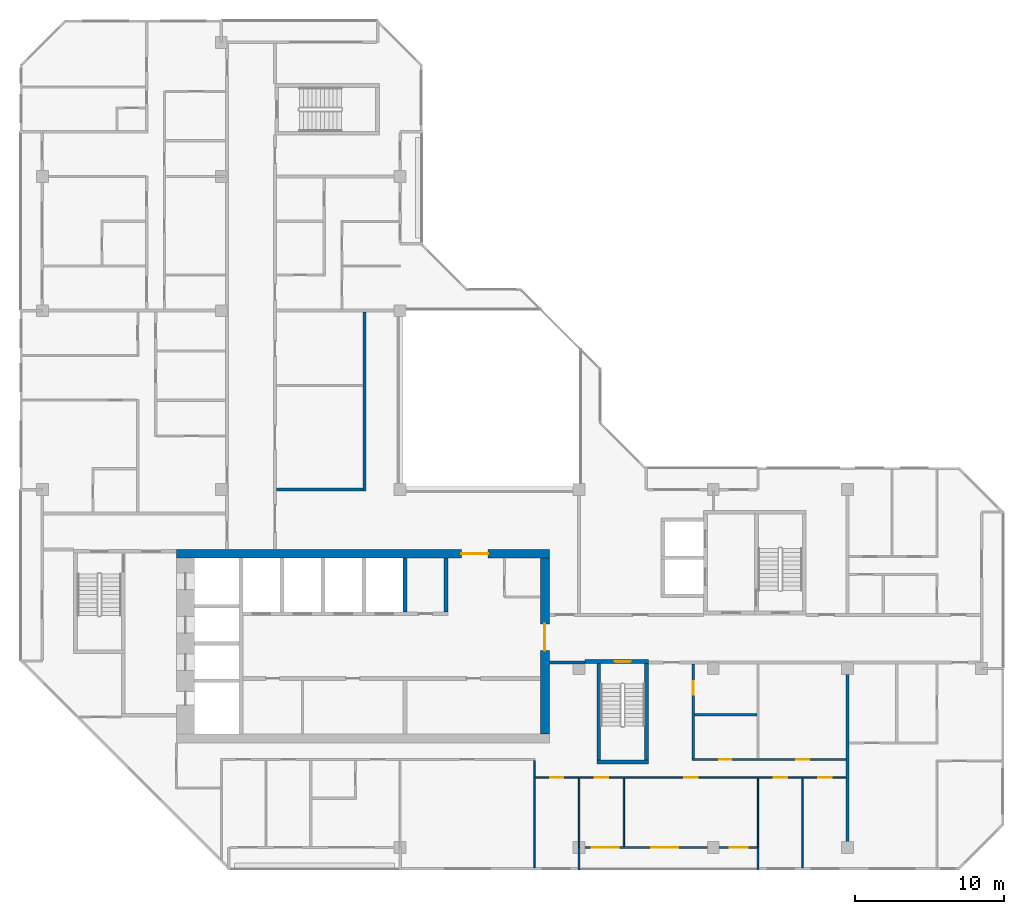
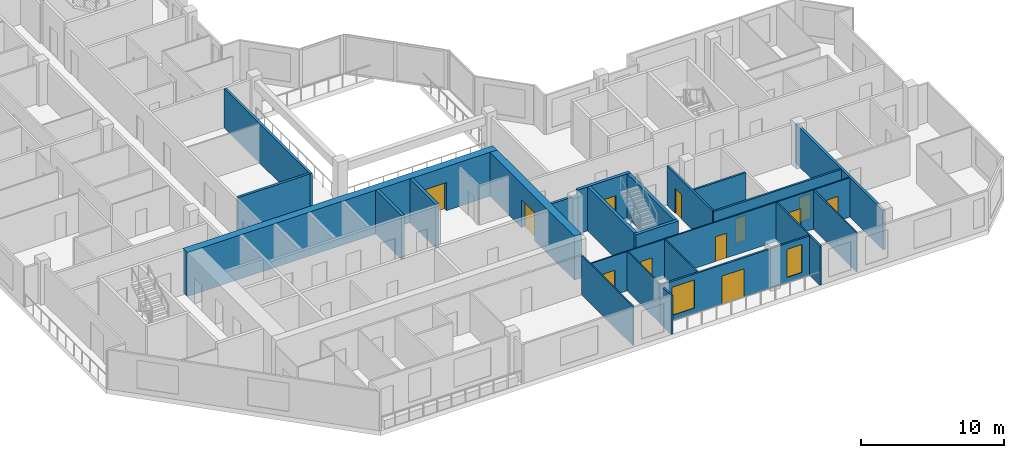
# One storey, part 6 of 13: 24 walls, 12 doors, 2 windows, 14 openings.
"""IFC4 building model written with IfcOpenShell, lengths in metres."""

from ifc_helpers import new_model, si_unit, direction, frame, frame_2d, origin, place, context, subcontext, project, spatial, rectangle, extrude, material, layer, layer_set, type_object, element, fill, save


model = new_model("IFC4")

# Units and contexts
model_context = context("Model", 3, precision=1e-05, world=origin(), true_north=direction((0.0, 1.0)))
body_context = subcontext(model_context, "Body", "Model", "MODEL_VIEW")
ifc_project = project(units=[si_unit("LENGTHUNIT", "METRE"), si_unit("AREAUNIT", "SQUARE_METRE"), si_unit("VOLUMEUNIT", "CUBIC_METRE"), si_unit("PLANEANGLEUNIT", "RADIAN"), si_unit("MASSUNIT", "GRAM", prefix="KILO")], contexts=[model_context])

# Site, building, storey
site_placement = place(None, origin())
site = spatial("IfcSite", under=ifc_project, at=site_placement, CompositionType="ELEMENT")
building_placement = place(site_placement, origin())
building = spatial("IfcBuilding", under=site, at=building_placement, Name="Chenar Terraces", CompositionType="ELEMENT")
storey_placement = place(building_placement, frame((0.0, 0.0, 314.64990234375)))
storey = spatial("IfcBuildingStorey", under=building, at=storey_placement, Name="L74", CompositionType="ELEMENT", Elevation=314.64990234375)

# Walls
ifc_material_1 = material(Name="Concrete C50/60", Category="concrete")
ifc_layer_1 = layer(ifc_material_1, 0.25)
ifc_layer_set_1 = layer_set([ifc_layer_1], Name="Concrete C50/60")
wall_type_1 = type_object("IfcWallType", Name="Core wall 250 Concrete C50/60", PredefinedType="SHEAR", material=ifc_layer_set_1)
for number, where, z_axis, x_axis, name in (
    (1, (24.324951171875, 15.800048828125, 0.0), (0.0, 0.0, 1.0), (0.0, 1.0, 0.0), "Core wall NS3 L74"),
    (2, (27.074951171875, 15.800048828125, 0.0), (0.0, 0.0, 1.0), (0.0, 1.0, 0.0), "Core wall NE L74"),
):
    element("IfcWall", number, at=place(storey_placement, frame(where, z_axis=z_axis, x_axis=x_axis)), inside=storey, type_object=wall_type_1, Name=name, PredefinedType="SHEAR", context=body_context, shape_type="SweptSolid", body=[
        extrude(rectangle(XDim=3.599853515625, YDim=0.25, at=frame_2d((1.7998046875, 0.0))), origin(), (0.0, 0.0, 1.0), 3.75),
    ])
wall_1_placement = place(storey_placement, frame((37.199951171875, 5.72509765625, 0.0), z_axis=(0.0, 0.0, 1.0), x_axis=(1.0, 0.0, 0.0)))
element("IfcWall", 3, at=wall_1_placement, inside=storey, type_object=wall_type_1, Name="Core wall ST2_S L74", PredefinedType="SHEAR", context=body_context, shape_type="SweptSolid", body=[
    extrude(rectangle(XDim=3.449951171875, YDim=0.25, at=frame_2d((1.72509765625, 0.0))), origin(), (0.0, 0.0, 1.0), 3.75),
])

# Wall, opening, door
wall_2_placement = place(storey_placement, frame((36.39990234375, 12.47509765625, 0.0), z_axis=(0.0, 0.0, 1.0), x_axis=(1.0, 0.0, 0.0)))
wall_2 = element("IfcWall", 4, at=wall_2_placement, inside=storey, type_object=wall_type_1, Name="Core wall ST2_N L74", PredefinedType="SHEAR", context=body_context, shape_type="SweptSolid", body=[
    extrude(rectangle(XDim=4.25, YDim=0.25, at=frame_2d((2.125, 0.0))), origin(), (0.0, 0.0, 1.0), 3.75),
])
opening_1_placement = place(wall_2_placement, frame((1.97509765625, 0.0, 0.0)))
opening_1 = element("IfcOpeningElement", 5, at=opening_1_placement, cuts=wall_2, Name="Opening DL74-C7", PredefinedType="OPENING", context=body_context, shape_type="SweptSolid", body=[
    extrude(rectangle(XDim=1.10009765625, YDim=2.199951171875, at=frame_2d((0.550048828125, 1.10009765625))), frame((0.0, 0.135009765625, 0.0), z_axis=(0.0, -1.0, 0.0), x_axis=(1.0, 0.0, 0.0)), (0.0, 0.0, 1.0), 0.27001953125),
])
ifc_material_2 = material(Name="Steel-framed fire-resisting door leaf", Category="steel")
door_type_1 = type_object("IfcDoorType", Name="Stair fire door FD60 1100 x 2200", OperationType="SINGLE_SWING_LEFT", PredefinedType="DOOR", material=ifc_material_2)
door_1_placement = place(opening_1_placement, frame((1.10009765625, 0.0, 0.0), z_axis=(0.0, 0.0, 1.0), x_axis=(-1.0, 0.0, 0.0)))
door_1 = element("IfcDoor", 6, at=door_1_placement, inside=storey, type_object=door_type_1, Name="Stair door DL74-C7", OperationType="SINGLE_SWING_LEFT", OverallHeight=2.199951171875, OverallWidth=1.10009765625, PredefinedType="DOOR", context=body_context, shape_type="SweptSolid", body=[
    extrude(rectangle(XDim=1.10009765625, YDim=2.199951171875, at=frame_2d((0.550048828125, 1.10009765625))), frame((0.0, 0.02490234375, 0.0), z_axis=(0.0, -1.0, 0.0), x_axis=(1.0, 0.0, 0.0)), (0.0, 0.0, 1.0), 0.050048828125),
])
fill(opening_1, door_1)

# Walls
for number, where, z_axis, x_axis, name in (
    (7, (37.324951171875, 5.85009765625, 0.0), (0.0, 0.0, 1.0), (0.0, 1.0, 0.0), "Core wall ST2_W L74"),
    (8, (40.52490234375, 5.85009765625, 0.0), (0.0, 0.0, 1.0), (0.0, 1.0, 0.0), "Core wall ST2_E L74"),
):
    element("IfcWall", number, at=place(storey_placement, frame(where, z_axis=z_axis, x_axis=x_axis)), inside=storey, type_object=wall_type_1, Name=name, PredefinedType="SHEAR", context=body_context, shape_type="SweptSolid", body=[
        extrude(rectangle(XDim=6.5, YDim=0.25, at=frame_2d((3.25, 0.0))), origin(), (0.0, 0.0, 1.0), 3.75),
    ])

# Wall, opening, door
ifc_material_3 = material(Name="Concrete C50/60", Category="concrete")
ifc_layer_2 = layer(ifc_material_3, 0.60009765625)
ifc_layer_set_2 = layer_set([ifc_layer_2], Name="Concrete C50/60")
wall_type_2 = type_object("IfcWallType", Name="Core wall 600 Concrete C50/60", PredefinedType="SHEAR", material=ifc_layer_set_2)
wall_3_placement = place(storey_placement, frame((9.0, 19.699951171875, 0.0), z_axis=(0.0, 0.0, 1.0), x_axis=(1.0, 0.0, 0.0)))
wall_3 = element("IfcWall", 9, at=wall_3_placement, inside=storey, type_object=wall_type_2, Name="Core wall N L74", PredefinedType="SHEAR", context=body_context, shape_type="SweptSolid", body=[
    extrude(rectangle(XDim=25.0, YDim=0.60009765625, at=frame_2d((12.5, 0.0))), origin(), (0.0, 0.0, 1.0), 3.75),
])
opening_2_placement = place(wall_3_placement, frame((19.10009765625, 0.0, 0.0)))
opening_2 = element("IfcOpeningElement", 10, at=opening_2_placement, cuts=wall_3, Name="Opening DL74-C2", PredefinedType="OPENING", context=body_context, shape_type="SweptSolid", body=[
    extrude(rectangle(XDim=1.800048828125, YDim=2.39990234375, at=frame_2d((0.89990234375, 1.199951171875))), frame((0.0, 0.31005859375, 0.0), z_axis=(0.0, -1.0, 0.0), x_axis=(1.0, 0.0, 0.0)), (0.0, 0.0, 1.0), 0.6201171875),
])
ifc_material_4 = material(Name="Steel-framed fire-resisting door leaf", Category="steel")
door_type_2 = type_object("IfcDoorType", Name="Core entrance double fire door FD60 1800 x 2400", OperationType="DOUBLE_DOOR_SINGLE_SWING", PredefinedType="DOOR", material=ifc_material_4)
door_2_placement = place(opening_2_placement, frame((1.800048828125, 0.0, 0.0), z_axis=(0.0, 0.0, 1.0), x_axis=(-1.0, 0.0, 0.0)))
door_2 = element("IfcDoor", 11, at=door_2_placement, inside=storey, type_object=door_type_2, Name="Core door DL74-C2", OperationType="DOUBLE_DOOR_SINGLE_SWING", OverallHeight=2.39990234375, OverallWidth=1.800048828125, PredefinedType="DOOR", context=body_context, shape_type="SweptSolid", body=[
    extrude(rectangle(XDim=1.800048828125, YDim=2.39990234375, at=frame_2d((0.89990234375, 1.199951171875))), frame((0.0, 0.02490234375, 0.0), z_axis=(0.0, -1.0, 0.0), x_axis=(1.0, 0.0, 0.0)), (0.0, 0.0, 1.0), 0.050048828125),
])
fill(opening_2, door_2)

wall_4_placement = place(storey_placement, frame((33.699951171875, 7.60009765625, 0.0), z_axis=(0.0, 0.0, 1.0), x_axis=(0.0, 1.0, 0.0)))
wall_4 = element("IfcWall", 12, at=wall_4_placement, inside=storey, type_object=wall_type_2, Name="Core wall E L74", PredefinedType="SHEAR", context=body_context, shape_type="SweptSolid", body=[
    extrude(rectangle(XDim=11.7998046875, YDim=0.60009765625, at=frame_2d((5.89990234375, 0.0))), origin(), (0.0, 0.0, 1.0), 3.75),
])
opening_3_placement = place(wall_4_placement, frame((5.60009765625, 0.0, 0.0)))
opening_3 = element("IfcOpeningElement", 13, at=opening_3_placement, cuts=wall_4, Name="Opening DL74-C1", PredefinedType="OPENING", context=body_context, shape_type="SweptSolid", body=[
    extrude(rectangle(XDim=1.800048828125, YDim=2.39990234375, at=frame_2d((0.89990234375, 1.199951171875))), frame((0.0, 0.31005859375, 0.0), z_axis=(0.0, -1.0, 0.0), x_axis=(1.0, 0.0, 0.0)), (0.0, 0.0, 1.0), 0.6201171875),
])
door_3_placement = place(opening_3_placement, origin())
door_3 = element("IfcDoor", 14, at=door_3_placement, inside=storey, type_object=door_type_2, Name="Core door DL74-C1", OperationType="DOUBLE_DOOR_SINGLE_SWING", OverallHeight=2.39990234375, OverallWidth=1.800048828125, PredefinedType="DOOR", context=body_context, shape_type="SweptSolid", body=[
    extrude(rectangle(XDim=1.800048828125, YDim=2.39990234375, at=frame_2d((0.89990234375, 1.199951171875))), frame((0.0, 0.02490234375, 0.0), z_axis=(0.0, -1.0, 0.0), x_axis=(1.0, 0.0, 0.0)), (0.0, 0.0, 1.0), 0.050048828125),
])
fill(opening_3, door_3)

# Walls
ifc_material_5 = material(Name="Gypsum board on steel studs with fire boards", Category="steel")
ifc_layer_3 = layer(ifc_material_5, 0.199951171875)
ifc_layer_set_3 = layer_set([ifc_layer_3], Name="Gypsum board on steel studs with fire boards")
wall_type_3 = type_object("IfcWallType", Name="Corridor wall 200", PredefinedType="PARTITIONING", material=ifc_layer_set_3)
wall_5_placement = place(storey_placement, frame((15.699951171875, 24.0, 0.0), z_axis=(0.0, 0.0, 1.0), x_axis=(1.0, 0.0, 0.0)))
element("IfcWall", 15, at=wall_5_placement, inside=storey, type_object=wall_type_3, Name="Partition L74-038", PredefinedType="PARTITIONING", context=body_context, shape_type="SweptSolid", body=[
    extrude(rectangle(XDim=5.800048828125, YDim=0.199951171875, at=frame_2d((2.89990234375, 0.0))), origin(), (0.0, 0.0, 1.0), 3.35009765625),
])
wall_6_placement = place(storey_placement, frame((21.60009765625, 23.89990234375, 0.0), z_axis=(0.0, 0.0, 1.0), x_axis=(0.0, 1.0, 0.0)))
element("IfcWall", 16, at=wall_6_placement, inside=storey, type_object=wall_type_3, Name="Partition L74-051", PredefinedType="PARTITIONING", context=body_context, shape_type="SweptSolid", body=[
    extrude(rectangle(XDim=12.0, YDim=0.199951171875, at=frame_2d((6.0, 0.0))), origin(), (0.0, 0.0, 1.0), 3.35009765625),
])
wall_7_placement = place(storey_placement, frame((34.0, 12.39990234375, 0.0), z_axis=(0.0, 0.0, 1.0), x_axis=(1.0, 0.0, 0.0)))
element("IfcWall", 17, at=wall_7_placement, inside=storey, type_object=wall_type_3, Name="Partition L74-055", PredefinedType="PARTITIONING", context=body_context, shape_type="SweptSolid", body=[
    extrude(rectangle(XDim=2.40087890625, YDim=0.199951171875, at=frame_2d((1.200439453125, 0.0))), origin(), (0.0, 0.0, 1.0), 3.35009765625),
])

# Wall, openings, windows, door
ifc_material_6 = material(Name="Aluminium framed glazing", Category="aluminium")
ifc_layer_4 = layer(ifc_material_6, 0.14990234375)
ifc_layer_set_4 = layer_set([ifc_layer_4], Name="Aluminium framed glazing")
wall_type_4 = type_object("IfcWallType", Name="Glazed loggia back wall 150", PredefinedType="SOLIDWALL", material=ifc_layer_set_4)
wall_8_placement = place(storey_placement, frame((36.074951171875, 0.0, 0.0), z_axis=(0.0, 0.0, 1.0), x_axis=(1.0, 0.0, 0.0)))
wall_8 = element("IfcWall", 18, at=wall_8_placement, inside=storey, type_object=wall_type_4, Name="Glazed loggia back wall", PredefinedType="SOLIDWALL", context=body_context, shape_type="SweptSolid", body=[
    extrude(rectangle(XDim=11.85009765625, YDim=0.14990234375, at=frame_2d((5.925048828125, 0.0))), origin(), (0.0, 0.0, 1.0), 3.35009765625),
])
opening_4_placement = place(wall_8_placement, frame((0.77490234375, 0.0, 0.449951171875)))
opening_4 = element("IfcOpeningElement", 19, at=opening_4_placement, cuts=wall_8, Name="Opening W180x240", PredefinedType="OPENING", context=body_context, shape_type="SweptSolid", body=[
    extrude(rectangle(XDim=1.800048828125, YDim=2.39990234375, at=frame_2d((0.89990234375, 1.199951171875))), frame((0.0, 0.0849609375, 0.0), z_axis=(0.0, -1.0, 0.0), x_axis=(1.0, 0.0, 0.0)), (0.0, 0.0, 1.0), 0.169921875),
])
opening_5_placement = place(wall_8_placement, frame((4.77490234375, 0.0, 0.0)))
opening_5 = element("IfcOpeningElement", 20, at=opening_5_placement, cuts=wall_8, Name="Opening DL74-G5", PredefinedType="OPENING", context=body_context, shape_type="SweptSolid", body=[
    extrude(rectangle(XDim=1.800048828125, YDim=2.39990234375, at=frame_2d((0.89990234375, 1.199951171875))), frame((0.0, 0.0849609375, 0.0), z_axis=(0.0, -1.0, 0.0), x_axis=(1.0, 0.0, 0.0)), (0.0, 0.0, 1.0), 0.169921875),
])
opening_6_placement = place(wall_8_placement, frame((10.03759765625, 0.0, 0.449951171875)))
opening_6 = element("IfcOpeningElement", 21, at=opening_6_placement, cuts=wall_8, Name="Opening W120x240", PredefinedType="OPENING", context=body_context, shape_type="SweptSolid", body=[
    extrude(rectangle(XDim=1.199951171875, YDim=2.39990234375, at=frame_2d((0.60009765625, 1.199951171875))), frame((0.0, 0.0849609375, 0.0), z_axis=(0.0, -1.0, 0.0), x_axis=(1.0, 0.0, 0.0)), (0.0, 0.0, 1.0), 0.169921875),
])
ifc_material_7 = material(Name="Low emissivity double glazing, aluminium frame", Category="aluminium")
window_type_1 = type_object("IfcWindowType", Name="Fixed light 1200 x 2400", PartitioningType="SINGLE_PANEL", PredefinedType="WINDOW", material=ifc_material_7)
window_1_placement = place(opening_6_placement, origin())
window_1 = element("IfcWindow", 22, at=window_1_placement, inside=storey, type_object=window_type_1, Name="Window", OverallHeight=2.39990234375, OverallWidth=1.199951171875, PartitioningType="SINGLE_PANEL", PredefinedType="WINDOW", context=body_context, shape_type="SweptSolid", body=[
    extrude(rectangle(XDim=1.199951171875, YDim=2.39990234375, at=frame_2d((0.60009765625, 1.199951171875))), frame((0.0, 0.030029296875, 0.0), z_axis=(0.0, -1.0, 0.0), x_axis=(1.0, 0.0, 0.0)), (0.0, 0.0, 1.0), 0.06005859375),
])
fill(opening_6, window_1)
ifc_material_8 = material(Name="Low emissivity double glazing, aluminium frame", Category="aluminium")
window_type_2 = type_object("IfcWindowType", Name="Fixed light 1800 x 2400", PartitioningType="SINGLE_PANEL", PredefinedType="WINDOW", material=ifc_material_8)
window_2_placement = place(opening_4_placement, origin())
window_2 = element("IfcWindow", 23, at=window_2_placement, inside=storey, type_object=window_type_2, Name="Window", OverallHeight=2.39990234375, OverallWidth=1.800048828125, PartitioningType="SINGLE_PANEL", PredefinedType="WINDOW", context=body_context, shape_type="SweptSolid", body=[
    extrude(rectangle(XDim=1.800048828125, YDim=2.39990234375, at=frame_2d((0.89990234375, 1.199951171875))), frame((0.0, 0.030029296875, 0.0), z_axis=(0.0, -1.0, 0.0), x_axis=(1.0, 0.0, 0.0)), (0.0, 0.0, 1.0), 0.06005859375),
])
fill(opening_4, window_2)
ifc_material_9 = material(Name="Low emissivity double glazing, aluminium frame", Category="aluminium")
door_type_3 = type_object("IfcDoorType", Name="Loggia glazed double door 1800 x 2400", OperationType="DOUBLE_DOOR_SINGLE_SWING", PredefinedType="DOOR", material=ifc_material_9)
door_4_placement = place(opening_5_placement, frame((1.800048828125, 0.0, 0.0), z_axis=(0.0, 0.0, 1.0), x_axis=(-1.0, 0.0, 0.0)))
door_4 = element("IfcDoor", 24, at=door_4_placement, inside=storey, type_object=door_type_3, Name="Loggia glazed door", OperationType="DOUBLE_DOOR_SINGLE_SWING", OverallHeight=2.39990234375, OverallWidth=1.800048828125, PredefinedType="DOOR", context=body_context, shape_type="SweptSolid", body=[
    extrude(rectangle(XDim=1.800048828125, YDim=2.39990234375, at=frame_2d((0.89990234375, 1.199951171875))), frame((0.0, 0.02490234375, 0.0), z_axis=(0.0, -1.0, 0.0), x_axis=(1.0, 0.0, 0.0)), (0.0, 0.0, 1.0), 0.050048828125),
])
fill(opening_5, door_4)

# Wall
ifc_material_10 = material(Name="Gypsum board on steel studs", Category="steel")
ifc_layer_5 = layer(ifc_material_10, 0.10009765625)
ifc_layer_set_5 = layer_set([ifc_layer_5], Name="Gypsum board on steel studs")
wall_type_5 = type_object("IfcWallType", Name="Gypsum partition 100", PredefinedType="PARTITIONING", material=ifc_layer_set_5)
wall_9_placement = place(storey_placement, frame((33.0, -1.35009765625, 0.0), z_axis=(0.0, 0.0, 1.0), x_axis=(0.0, 1.0, 0.0)))
element("IfcWall", 25, at=wall_9_placement, inside=storey, type_object=wall_type_5, Name="Partition L74-053", PredefinedType="PARTITIONING", context=body_context, shape_type="SweptSolid", body=[
    extrude(rectangle(XDim=7.175048828125, YDim=0.10009765625, at=frame_2d((3.58740234375, 0.0))), origin(), (0.0, 0.0, 1.0), 3.35009765625),
])

# Wall, openings, doors
wall_10_placement = place(storey_placement, frame((33.050048828125, 4.699951171875, 0.0), z_axis=(0.0, 0.0, 1.0), x_axis=(1.0, 0.0, 0.0)))
wall_10 = element("IfcWall", 26, at=wall_10_placement, inside=storey, type_object=wall_type_5, Name="Partition L74-054", PredefinedType="PARTITIONING", context=body_context, shape_type="SweptSolid", body=[
    extrude(rectangle(XDim=20.849853515625, YDim=0.10009765625, at=frame_2d((10.4248046875, 0.0))), origin(), (0.0, 0.0, 1.0), 3.35009765625),
])
opening_7_placement = place(wall_10_placement, frame((1.0, 0.0, 0.0)))
opening_7 = element("IfcOpeningElement", 27, at=opening_7_placement, cuts=wall_10, Name="Opening DL74-37", PredefinedType="OPENING", context=body_context, shape_type="SweptSolid", body=[
    extrude(rectangle(XDim=0.89990234375, YDim=2.10009765625, at=frame_2d((0.449951171875, 1.050048828125))), frame((0.0, 0.06005859375, 0.0), z_axis=(0.0, -1.0, 0.0), x_axis=(1.0, 0.0, 0.0)), (0.0, 0.0, 1.0), 0.1201171875),
])
opening_8_placement = place(wall_10_placement, frame((4.0, 0.0, 0.0)))
opening_8 = element("IfcOpeningElement", 28, at=opening_8_placement, cuts=wall_10, Name="Opening DL74-38", PredefinedType="OPENING", context=body_context, shape_type="SweptSolid", body=[
    extrude(rectangle(XDim=0.89990234375, YDim=2.10009765625, at=frame_2d((0.449951171875, 1.050048828125))), frame((0.0, 0.06005859375, 0.0), z_axis=(0.0, -1.0, 0.0), x_axis=(1.0, 0.0, 0.0)), (0.0, 0.0, 1.0), 0.1201171875),
])
opening_9_placement = place(wall_10_placement, frame((16.0, 0.0, 0.0)))
opening_9 = element("IfcOpeningElement", 29, at=opening_9_placement, cuts=wall_10, Name="Opening DL74-39", PredefinedType="OPENING", context=body_context, shape_type="SweptSolid", body=[
    extrude(rectangle(XDim=0.89990234375, YDim=2.10009765625, at=frame_2d((0.449951171875, 1.050048828125))), frame((0.0, 0.06005859375, 0.0), z_axis=(0.0, -1.0, 0.0), x_axis=(1.0, 0.0, 0.0)), (0.0, 0.0, 1.0), 0.1201171875),
])
opening_10_placement = place(wall_10_placement, frame((19.0, 0.0, 0.0)))
opening_10 = element("IfcOpeningElement", 30, at=opening_10_placement, cuts=wall_10, Name="Opening DL74-40", PredefinedType="OPENING", context=body_context, shape_type="SweptSolid", body=[
    extrude(rectangle(XDim=0.89990234375, YDim=2.10009765625, at=frame_2d((0.449951171875, 1.050048828125))), frame((0.0, 0.06005859375, 0.0), z_axis=(0.0, -1.0, 0.0), x_axis=(1.0, 0.0, 0.0)), (0.0, 0.0, 1.0), 0.1201171875),
])
opening_11_placement = place(wall_10_placement, frame((10.0, 0.0, 0.0)))
opening_11 = element("IfcOpeningElement", 31, at=opening_11_placement, cuts=wall_10, Name="Opening DL74-48", PredefinedType="OPENING", context=body_context, shape_type="SweptSolid", body=[
    extrude(rectangle(XDim=0.89990234375, YDim=2.10009765625, at=frame_2d((0.449951171875, 1.050048828125))), frame((0.0, 0.06005859375, 0.0), z_axis=(0.0, -1.0, 0.0), x_axis=(1.0, 0.0, 0.0)), (0.0, 0.0, 1.0), 0.1201171875),
])
ifc_material_11 = material(Name="Veneered timber door leaf", Category="wood")
door_type_4 = type_object("IfcDoorType", Name="Door 900 x 2100", OperationType="SINGLE_SWING_LEFT", PredefinedType="DOOR", material=ifc_material_11)
door_5_placement = place(opening_7_placement, frame((0.89990234375, 0.0, 0.0), z_axis=(0.0, 0.0, 1.0), x_axis=(-1.0, 0.0, 0.0)))
door_5 = element("IfcDoor", 32, at=door_5_placement, inside=storey, type_object=door_type_4, Name="Door DL74-37", OperationType="SINGLE_SWING_LEFT", OverallHeight=2.10009765625, OverallWidth=0.89990234375, PredefinedType="DOOR", context=body_context, shape_type="SweptSolid", body=[
    extrude(rectangle(XDim=0.89990234375, YDim=2.10009765625, at=frame_2d((0.449951171875, 1.050048828125))), frame((0.0, 0.02490234375, 0.0), z_axis=(0.0, -1.0, 0.0), x_axis=(1.0, 0.0, 0.0)), (0.0, 0.0, 1.0), 0.050048828125),
])
fill(opening_7, door_5)
door_6_placement = place(opening_8_placement, frame((0.89990234375, 0.0, 0.0), z_axis=(0.0, 0.0, 1.0), x_axis=(-1.0, 0.0, 0.0)))
door_6 = element("IfcDoor", 33, at=door_6_placement, inside=storey, type_object=door_type_4, Name="Door DL74-38", OperationType="SINGLE_SWING_LEFT", OverallHeight=2.10009765625, OverallWidth=0.89990234375, PredefinedType="DOOR", context=body_context, shape_type="SweptSolid", body=[
    extrude(rectangle(XDim=0.89990234375, YDim=2.10009765625, at=frame_2d((0.449951171875, 1.050048828125))), frame((0.0, 0.02490234375, 0.0), z_axis=(0.0, -1.0, 0.0), x_axis=(1.0, 0.0, 0.0)), (0.0, 0.0, 1.0), 0.050048828125),
])
fill(opening_8, door_6)
door_7_placement = place(opening_9_placement, frame((0.89990234375, 0.0, 0.0), z_axis=(0.0, 0.0, 1.0), x_axis=(-1.0, 0.0, 0.0)))
door_7 = element("IfcDoor", 34, at=door_7_placement, inside=storey, type_object=door_type_4, Name="Door DL74-39", OperationType="SINGLE_SWING_LEFT", OverallHeight=2.10009765625, OverallWidth=0.89990234375, PredefinedType="DOOR", context=body_context, shape_type="SweptSolid", body=[
    extrude(rectangle(XDim=0.89990234375, YDim=2.10009765625, at=frame_2d((0.449951171875, 1.050048828125))), frame((0.0, 0.02490234375, 0.0), z_axis=(0.0, -1.0, 0.0), x_axis=(1.0, 0.0, 0.0)), (0.0, 0.0, 1.0), 0.050048828125),
])
fill(opening_9, door_7)
door_8_placement = place(opening_10_placement, frame((0.89990234375, 0.0, 0.0), z_axis=(0.0, 0.0, 1.0), x_axis=(-1.0, 0.0, 0.0)))
door_8 = element("IfcDoor", 35, at=door_8_placement, inside=storey, type_object=door_type_4, Name="Door DL74-40", OperationType="SINGLE_SWING_LEFT", OverallHeight=2.10009765625, OverallWidth=0.89990234375, PredefinedType="DOOR", context=body_context, shape_type="SweptSolid", body=[
    extrude(rectangle(XDim=0.89990234375, YDim=2.10009765625, at=frame_2d((0.449951171875, 1.050048828125))), frame((0.0, 0.02490234375, 0.0), z_axis=(0.0, -1.0, 0.0), x_axis=(1.0, 0.0, 0.0)), (0.0, 0.0, 1.0), 0.050048828125),
])
fill(opening_10, door_8)
door_9_placement = place(opening_11_placement, frame((0.89990234375, 0.0, 0.0), z_axis=(0.0, 0.0, 1.0), x_axis=(-1.0, 0.0, 0.0)))
door_9 = element("IfcDoor", 36, at=door_9_placement, inside=storey, type_object=door_type_4, Name="Door DL74-48", OperationType="SINGLE_SWING_LEFT", OverallHeight=2.10009765625, OverallWidth=0.89990234375, PredefinedType="DOOR", context=body_context, shape_type="SweptSolid", body=[
    extrude(rectangle(XDim=0.89990234375, YDim=2.10009765625, at=frame_2d((0.449951171875, 1.050048828125))), frame((0.0, 0.02490234375, 0.0), z_axis=(0.0, -1.0, 0.0), x_axis=(1.0, 0.0, 0.0)), (0.0, 0.0, 1.0), 0.050048828125),
])
fill(opening_11, door_9)

# Walls
wall_11_placement = place(storey_placement, frame((36.0, 0.0, 0.0), z_axis=(0.0, 0.0, 1.0), x_axis=(0.0, 1.0, 0.0)))
element("IfcWall", 37, at=wall_11_placement, inside=storey, type_object=wall_type_5, Name="Partition L74-057", PredefinedType="PARTITIONING", context=body_context, shape_type="SweptSolid", body=[
    extrude(rectangle(XDim=4.64990234375, YDim=0.10009765625, at=frame_2d((2.324951171875, 0.0))), origin(), (0.0, 0.0, 1.0), 3.35009765625),
])
wall_12_placement = place(storey_placement, frame((39.0, 0.073974609375, 0.0), z_axis=(0.0, 0.0, 1.0), x_axis=(0.0, 1.0, 0.0)))
element("IfcWall", 38, at=wall_12_placement, inside=storey, type_object=wall_type_5, Name="Partition L74-059", PredefinedType="PARTITIONING", context=body_context, shape_type="SweptSolid", body=[
    extrude(rectangle(XDim=4.575927734375, YDim=0.10009765625, at=frame_2d((2.2880859375, 0.0))), origin(), (0.0, 0.0, 1.0), 3.35009765625),
])
wall_13_placement = place(storey_placement, frame((48.0, 0.0, 0.0), z_axis=(0.0, 0.0, 1.0), x_axis=(0.0, 1.0, 0.0)))
element("IfcWall", 39, at=wall_13_placement, inside=storey, type_object=wall_type_5, Name="Partition L74-065", PredefinedType="PARTITIONING", context=body_context, shape_type="SweptSolid", body=[
    extrude(rectangle(XDim=4.64990234375, YDim=0.10009765625, at=frame_2d((2.324951171875, 0.0))), origin(), (0.0, 0.0, 1.0), 3.35009765625),
])
wall_14_placement = place(storey_placement, frame((51.0, -1.35107421875, 0.0), z_axis=(0.0, 0.0, 1.0), x_axis=(0.0, 1.0, 0.0)))
element("IfcWall", 40, at=wall_14_placement, inside=storey, type_object=wall_type_5, Name="Partition L74-067", PredefinedType="PARTITIONING", context=body_context, shape_type="SweptSolid", body=[
    extrude(rectangle(XDim=6.0009765625, YDim=0.10009765625, at=frame_2d((3.00048828125, 0.0))), origin(), (0.0, 0.0, 1.0), 3.35009765625),
])
ifc_material_12 = material(Name="Terracotta cladding on insulated backing", Category="masonry")
ifc_layer_6 = layer(ifc_material_12, 0.14990234375)
ifc_layer_set_6 = layer_set([ifc_layer_6], Name="Terracotta cladding on insulated backing")
wall_type_6 = type_object("IfcWallType", Name="Loggia return wall 150", PredefinedType="SOLIDWALL", material=ifc_layer_set_6)
for number, where, z_axis, x_axis, name in (
    (41, (36.0, -1.5, 0.0), (0.0, 0.0, 1.0), (0.0, 1.0, 0.0), "Loggia return wall"),
    (42, (48.0, -1.5, 0.0), (0.0, 0.0, 1.0), (0.0, 1.0, 0.0), "Loggia return wall"),
):
    element("IfcWall", number, at=place(storey_placement, frame(where, z_axis=z_axis, x_axis=x_axis)), inside=storey, type_object=wall_type_6, Name=name, PredefinedType="SOLIDWALL", context=body_context, shape_type="SweptSolid", body=[
        extrude(rectangle(XDim=1.5, YDim=0.14990234375, at=frame_2d((0.75, 0.0))), origin(), (0.0, 0.0, 1.0), 3.35009765625),
    ])
ifc_material_13 = material(Name="Twin gypsum board on steel studs with mineral wool", Category="steel")
ifc_layer_7 = layer(ifc_material_13, 0.199951171875)
ifc_layer_set_7 = layer_set([ifc_layer_7], Name="Twin gypsum board on steel studs with mineral wool")
wall_type_7 = type_object("IfcWallType", Name="Unit demising wall 200", PredefinedType="PARTITIONING", material=ifc_layer_set_7)
wall_15_placement = place(storey_placement, frame((54.0, 0.0, 0.0), z_axis=(0.0, 0.0, 1.0), x_axis=(0.0, 1.0, 0.0)))
element("IfcWall", 43, at=wall_15_placement, inside=storey, type_object=wall_type_7, Name="Partition L74-069", PredefinedType="PARTITIONING", context=body_context, shape_type="SweptSolid", body=[
    extrude(rectangle(XDim=12.300048828125, YDim=0.199951171875, at=frame_2d((6.14990234375, 0.0))), origin(), (0.0, 0.0, 1.0), 3.35009765625),
])

# Wall, openings, doors
ifc_material_14 = material(Name="Moisture-resistant gypsum board on steel studs", Category="steel")
ifc_layer_8 = layer(ifc_material_14, 0.14990234375)
ifc_layer_set_8 = layer_set([ifc_layer_8], Name="Moisture-resistant gypsum board on steel studs")
wall_type_8 = type_object("IfcWallType", Name="Wet-room partition 150", PredefinedType="PARTITIONING", material=ifc_layer_set_8)
wall_16_placement = place(storey_placement, frame((43.574951171875, 5.89990234375, 0.0), z_axis=(0.0, 0.0, 1.0), x_axis=(1.0, 0.0, 0.0)))
wall_16 = element("IfcWall", 44, at=wall_16_placement, inside=storey, type_object=wall_type_8, Name="Partition L74-061", PredefinedType="PARTITIONING", context=body_context, shape_type="SweptSolid", body=[
    extrude(rectangle(XDim=10.324951171875, YDim=0.14990234375, at=frame_2d((5.16259765625, 0.0))), origin(), (0.0, 0.0, 1.0), 3.35009765625),
])
opening_12_placement = place(wall_16_placement, frame((1.824951171875, 0.0, 0.0)))
opening_12 = element("IfcOpeningElement", 45, at=opening_12_placement, cuts=wall_16, Name="Opening DL74-34", PredefinedType="OPENING", context=body_context, shape_type="SweptSolid", body=[
    extrude(rectangle(XDim=0.800048828125, YDim=2.10009765625, at=frame_2d((0.39990234375, 1.050048828125))), frame((0.0, 0.0849609375, 0.0), z_axis=(0.0, -1.0, 0.0), x_axis=(1.0, 0.0, 0.0)), (0.0, 0.0, 1.0), 0.169921875),
])
opening_13_placement = place(wall_16_placement, frame((6.97509765625, 0.0, 0.0)))
opening_13 = element("IfcOpeningElement", 46, at=opening_13_placement, cuts=wall_16, Name="Opening DL74-49", PredefinedType="OPENING", context=body_context, shape_type="SweptSolid", body=[
    extrude(rectangle(XDim=0.89990234375, YDim=2.10009765625, at=frame_2d((0.449951171875, 1.050048828125))), frame((0.0, 0.0849609375, 0.0), z_axis=(0.0, -1.0, 0.0), x_axis=(1.0, 0.0, 0.0)), (0.0, 0.0, 1.0), 0.169921875),
])
ifc_material_15 = material(Name="Veneered timber door leaf", Category="wood")
door_type_5 = type_object("IfcDoorType", Name="Door 800 x 2100", OperationType="SINGLE_SWING_LEFT", PredefinedType="DOOR", material=ifc_material_15)
door_10_placement = place(opening_12_placement, origin())
door_10 = element("IfcDoor", 47, at=door_10_placement, inside=storey, type_object=door_type_5, Name="Door DL74-34", OperationType="SINGLE_SWING_RIGHT", OverallHeight=2.10009765625, OverallWidth=0.800048828125, PredefinedType="DOOR", context=body_context, shape_type="SweptSolid", body=[
    extrude(rectangle(XDim=0.800048828125, YDim=2.10009765625, at=frame_2d((0.39990234375, 1.050048828125))), frame((0.0, 0.02490234375, 0.0), z_axis=(0.0, -1.0, 0.0), x_axis=(1.0, 0.0, 0.0)), (0.0, 0.0, 1.0), 0.050048828125),
])
fill(opening_12, door_10)
door_11_placement = place(opening_13_placement, origin())
door_11 = element("IfcDoor", 48, at=door_11_placement, inside=storey, type_object=door_type_4, Name="Door DL74-49", OperationType="SINGLE_SWING_RIGHT", OverallHeight=2.10009765625, OverallWidth=0.89990234375, PredefinedType="DOOR", context=body_context, shape_type="SweptSolid", body=[
    extrude(rectangle(XDim=0.89990234375, YDim=2.10009765625, at=frame_2d((0.449951171875, 1.050048828125))), frame((0.0, 0.02490234375, 0.0), z_axis=(0.0, -1.0, 0.0), x_axis=(1.0, 0.0, 0.0)), (0.0, 0.0, 1.0), 0.050048828125),
])
fill(opening_13, door_11)

# Wall, opening, door
wall_17_placement = place(storey_placement, frame((43.64990234375, 5.97509765625, 0.0), z_axis=(0.0, 0.0, 1.0), x_axis=(0.0, 1.0, 0.0)))
wall_17 = element("IfcWall", 49, at=wall_17_placement, inside=storey, type_object=wall_type_8, Name="Partition L74-062", PredefinedType="PARTITIONING", context=body_context, shape_type="SweptSolid", body=[
    extrude(rectangle(XDim=6.324951171875, YDim=0.14990234375, at=frame_2d((3.16259765625, 0.0))), origin(), (0.0, 0.0, 1.0), 3.35009765625),
])
opening_14_placement = place(wall_17_placement, frame((4.27490234375, 0.0, 0.0)))
opening_14 = element("IfcOpeningElement", 50, at=opening_14_placement, cuts=wall_17, Name="Opening DL74-46", PredefinedType="OPENING", context=body_context, shape_type="SweptSolid", body=[
    extrude(rectangle(XDim=0.89990234375, YDim=2.10009765625, at=frame_2d((0.449951171875, 1.050048828125))), frame((0.0, 0.0849609375, 0.0), z_axis=(0.0, -1.0, 0.0), x_axis=(1.0, 0.0, 0.0)), (0.0, 0.0, 1.0), 0.169921875),
])
door_12_placement = place(opening_14_placement, frame((0.89990234375, 0.0, 0.0), z_axis=(0.0, 0.0, 1.0), x_axis=(-1.0, 0.0, 0.0)))
door_12 = element("IfcDoor", 51, at=door_12_placement, inside=storey, type_object=door_type_4, Name="Door DL74-46", OperationType="SINGLE_SWING_LEFT", OverallHeight=2.10009765625, OverallWidth=0.89990234375, PredefinedType="DOOR", context=body_context, shape_type="SweptSolid", body=[
    extrude(rectangle(XDim=0.89990234375, YDim=2.10009765625, at=frame_2d((0.449951171875, 1.050048828125))), frame((0.0, 0.02490234375, 0.0), z_axis=(0.0, -1.0, 0.0), x_axis=(1.0, 0.0, 0.0)), (0.0, 0.0, 1.0), 0.050048828125),
])
fill(opening_14, door_12)

# Wall
wall_18_placement = place(storey_placement, frame((43.72509765625, 8.89990234375, 0.0), z_axis=(0.0, 0.0, 1.0), x_axis=(1.0, 0.0, 0.0)))
element("IfcWall", 52, at=wall_18_placement, inside=storey, type_object=wall_type_8, Name="Partition L74-063", PredefinedType="PARTITIONING", context=body_context, shape_type="SweptSolid", body=[
    extrude(rectangle(XDim=4.199951171875, YDim=0.14990234375, at=frame_2d((2.10009765625, 0.0))), origin(), (0.0, 0.0, 1.0), 3.35009765625),
])

save(model, "model.ifc")
